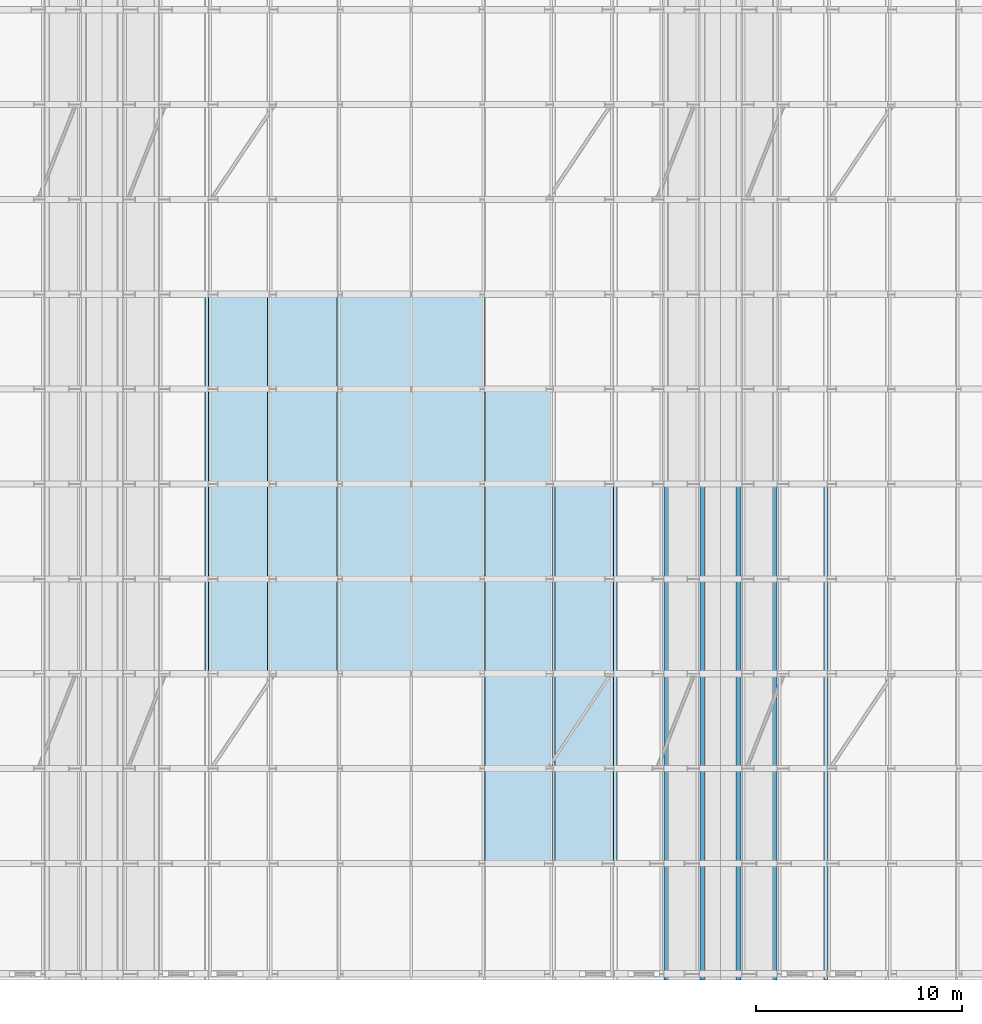
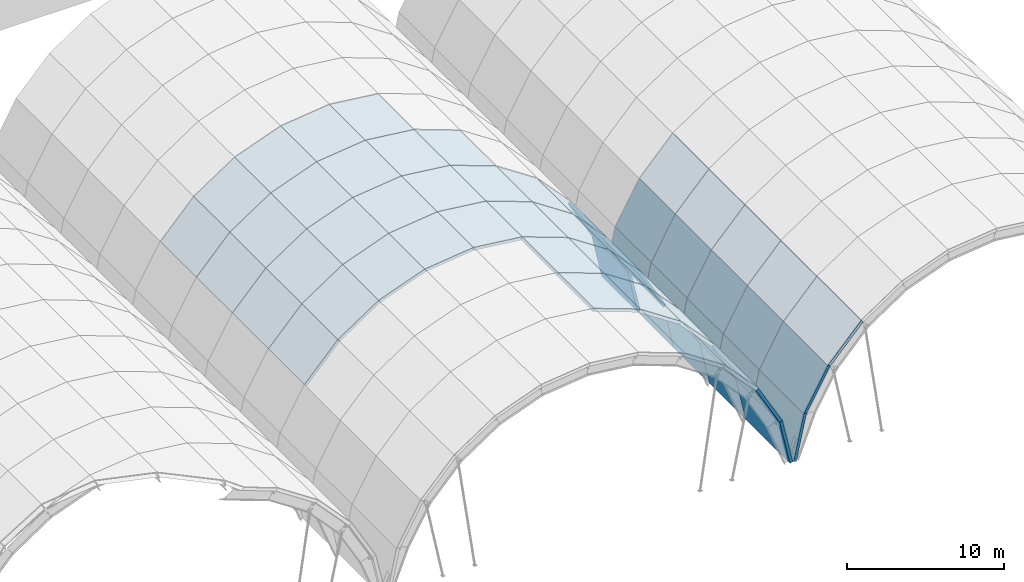
# One storey, part 21 of 47: 58 slabs, 2 elements without a shape of their own.
"""IFC4 building model written with IfcOpenShell, lengths in metres."""

from ifc_helpers import new_model, si_unit, direction, frame, origin, place, context, subcontext, project, spatial, polyline, outline, extrude, material, layer, layer_set, type_object, element, aggregate, save


model = new_model("IFC4")

# Units and contexts
model_context = context("Model", 3, precision=1e-05, world=origin(), true_north=direction((0.0, 1.0)))
body_context = subcontext(model_context, "Body", "Model", "MODEL_VIEW")
ifc_project = project(units=[si_unit("LENGTHUNIT", "METRE"), si_unit("AREAUNIT", "SQUARE_METRE"), si_unit("VOLUMEUNIT", "CUBIC_METRE"), si_unit("PLANEANGLEUNIT", "RADIAN"), si_unit("MASSUNIT", "GRAM", prefix="KILO")], contexts=[model_context])

# Site, building, storey
site_placement = place(None, origin())
site = spatial("IfcSite", under=ifc_project, at=site_placement, CompositionType="ELEMENT")
building_placement = place(site_placement, origin())
building = spatial("IfcBuilding", under=site, at=building_placement, Name="Muzn Square Opera House", CompositionType="ELEMENT")
storey_placement = place(building_placement, frame((0.0, 0.0, 31.0)))
storey = spatial("IfcBuildingStorey", under=building, at=storey_placement, Name="RF-1", CompositionType="ELEMENT", Elevation=31.0)

# Roof, slabs
ifc_material_1 = material(Name="Patina green copper-zinc standing seam", Category="metal")
roof_type = type_object("IfcRoofType", Name="Barrel Vault Roof Assembly", PredefinedType="BARREL_ROOF", material=ifc_material_1)
roof_1_placement = place(storey_placement, origin())
roof_1 = element("IfcRoof", 1, at=roof_1_placement, inside=storey, type_object=roof_type, Name="Grand Auditorium Barrel Vault Roof Assembly", PredefinedType="BARREL_ROOF")
ifc_material_2 = material(Name="Concrete C40/50", Category="concrete")
ifc_layer = layer(ifc_material_2, 0.219970703125, Name="Concrete C40/50", Category="concrete")
ifc_layer_set = layer_set([ifc_layer], Name="Concrete C40/50")
slab_type = type_object("IfcSlabType", Name="Barrel Vault Roof Slab 220mm", PredefinedType="ROOF", material=ifc_layer_set)
slab_1_placement = place(storey_placement, frame((100.44287109375, 20.949951171875, -5.891845703125), z_axis=(0.870542692247, 0.0, 0.492092898724), x_axis=(0.492092898724, 0.0, -0.870542692247)))
slab_1 = element("IfcSlab", 2, at=slab_1_placement, type_object=slab_type, Name="Barrel Vault Roof Deck Strip V2-00-F10", PredefinedType="ROOF", context=body_context, shape_type="SweptSolid", body=[
    extrude(outline(polyline([(0.0, 0.0), (3.611309193818898, 0.0), (3.611309193818898, 5.650146484375), (0.0, 5.650146484375), (0.0, 0.0)])), origin(), (0.0, 0.0, -1.0), 0.219970703125),
])
slab_2_placement = place(storey_placement, frame((102.219970703125, 20.949951171875, -9.03564453125), z_axis=(0.97702538959, 0.0, 0.213122941272), x_axis=(0.213122941272, 0.0, -0.97702538959)))
slab_2 = element("IfcSlab", 3, at=slab_2_placement, type_object=slab_type, Name="Barrel Vault Roof Deck Strip V2-00-F11", PredefinedType="ROOF", context=body_context, shape_type="SweptSolid", body=[
    extrude(outline(polyline([(0.0, 0.0), (3.5523162058829336, 0.0), (3.5523162058829336, 5.650146484375), (0.0, 5.650146484375), (0.0, 0.0)])), origin(), (0.0, 0.0, -1.0), 0.219970703125),
])
slab_3_placement = place(storey_placement, frame((91.58642578125, 26.60009765625, -0.00244140625), z_axis=(0.344922006795, 0.0, 0.938631348948), x_axis=(0.938631348948, 0.0, -0.344922006795)))
slab_3 = element("IfcSlab", 4, at=slab_3_placement, type_object=slab_type, Name="Barrel Vault Roof Deck Strip V2-01-F07", PredefinedType="ROOF", context=body_context, shape_type="SweptSolid", body=[
    extrude(outline(polyline([(0.0, 0.0), (3.6112670233072075, 0.0), (3.6112670233072075, 4.599853515625), (0.0, 4.599853515625), (0.0, 0.0)])), origin(), (0.0, 0.0, -1.0), 0.219970703125),
])
slab_4_placement = place(storey_placement, frame((94.97607421875, 26.60009765625, -1.248046875), z_axis=(0.553701293488, 0.0, 0.832715364089), x_axis=(0.832715364089, 0.0, -0.553701293488)))
slab_4 = element("IfcSlab", 5, at=slab_4_placement, type_object=slab_type, Name="Barrel Vault Roof Deck Strip V2-01-F08", PredefinedType="ROOF", context=body_context, shape_type="SweptSolid", body=[
    extrude(outline(polyline([(0.0, 0.0), (3.611174007116638, 0.0), (3.611174007116638, 4.599853515625), (0.0, 4.599853515625), (0.0, 0.0)])), origin(), (0.0, 0.0, -1.0), 0.219970703125),
])
slab_5_placement = place(storey_placement, frame((97.983154296875, 26.60009765625, -3.24755859375), z_axis=(0.732198498352, 0.0, 0.681091300055), x_axis=(0.681091300055, 0.0, -0.732198498352)))
slab_5 = element("IfcSlab", 6, at=slab_5_placement, type_object=slab_type, Name="Barrel Vault Roof Deck Strip V2-01-F09", PredefinedType="ROOF", context=body_context, shape_type="SweptSolid", body=[
    extrude(outline(polyline([(0.0, 0.0), (3.611434761647482, 0.0), (3.611434761647482, 4.599853515625), (0.0, 4.599853515625), (0.0, 0.0)])), origin(), (0.0, 0.0, -1.0), 0.219970703125),
])
slab_6_placement = place(storey_placement, frame((100.44287109375, 26.60009765625, -5.891845703125), z_axis=(0.870542692247, 0.0, 0.492092898724), x_axis=(0.492092898724, 0.0, -0.870542692247)))
slab_6 = element("IfcSlab", 7, at=slab_6_placement, type_object=slab_type, Name="Barrel Vault Roof Deck Strip V2-01-F10", PredefinedType="ROOF", context=body_context, shape_type="SweptSolid", body=[
    extrude(outline(polyline([(0.0, 0.0), (3.611309193818898, 0.0), (3.611309193818898, 4.599853515625), (0.0, 4.599853515625), (0.0, 0.0)])), origin(), (0.0, 0.0, -1.0), 0.219970703125),
])
slab_7_placement = place(storey_placement, frame((102.219970703125, 26.60009765625, -9.03564453125), z_axis=(0.97702538959, 0.0, 0.213122941272), x_axis=(0.213122941272, 0.0, -0.97702538959)))
slab_7 = element("IfcSlab", 8, at=slab_7_placement, type_object=slab_type, Name="Barrel Vault Roof Deck Strip V2-01-F11", PredefinedType="ROOF", context=body_context, shape_type="SweptSolid", body=[
    extrude(outline(polyline([(0.0, 0.0), (3.5523162058829336, 0.0), (3.5523162058829336, 4.599853515625), (0.0, 4.599853515625), (0.0, 0.0)])), origin(), (0.0, 0.0, -1.0), 0.219970703125),
])
slab_8_placement = place(storey_placement, frame((91.58642578125, 31.199951171875, -0.00244140625), z_axis=(0.344922006795, 0.0, 0.938631348948), x_axis=(0.938631348948, 0.0, -0.344922006795)))
slab_8 = element("IfcSlab", 9, at=slab_8_placement, type_object=slab_type, Name="Barrel Vault Roof Deck Strip V2-02-F07", PredefinedType="ROOF", context=body_context, shape_type="SweptSolid", body=[
    extrude(outline(polyline([(0.0, 0.0), (3.6112670233072075, 0.0), (3.6112670233072075, 4.60009765625), (0.0, 4.60009765625), (0.0, 0.0)])), origin(), (0.0, 0.0, -1.0), 0.219970703125),
])
slab_9_placement = place(storey_placement, frame((94.97607421875, 31.199951171875, -1.248046875), z_axis=(0.553701293488, 0.0, 0.832715364089), x_axis=(0.832715364089, 0.0, -0.553701293488)))
slab_9 = element("IfcSlab", 10, at=slab_9_placement, type_object=slab_type, Name="Barrel Vault Roof Deck Strip V2-02-F08", PredefinedType="ROOF", context=body_context, shape_type="SweptSolid", body=[
    extrude(outline(polyline([(0.0, 0.0), (3.611174007116638, 0.0), (3.611174007116638, 4.600097656249999), (0.0, 4.600097656249999), (0.0, 0.0)])), origin(), (0.0, 0.0, -1.0), 0.219970703125),
])
slab_10_placement = place(storey_placement, frame((97.983154296875, 31.199951171875, -3.24755859375), z_axis=(0.732198498352, 0.0, 0.681091300055), x_axis=(0.681091300055, 0.0, -0.732198498352)))
slab_10 = element("IfcSlab", 11, at=slab_10_placement, type_object=slab_type, Name="Barrel Vault Roof Deck Strip V2-02-F09", PredefinedType="ROOF", context=body_context, shape_type="SweptSolid", body=[
    extrude(outline(polyline([(0.0, 0.0), (3.611434761647482, 0.0), (3.611434761647482, 4.600097656250001), (0.0, 4.600097656250001), (0.0, 0.0)])), origin(), (0.0, 0.0, -1.0), 0.219970703125),
])
slab_11_placement = place(storey_placement, frame((100.44287109375, 31.199951171875, -5.891845703125), z_axis=(0.870542692247, 0.0, 0.492092898724), x_axis=(0.492092898724, 0.0, -0.870542692247)))
slab_11 = element("IfcSlab", 12, at=slab_11_placement, type_object=slab_type, Name="Barrel Vault Roof Deck Strip V2-02-F10", PredefinedType="ROOF", context=body_context, shape_type="SweptSolid", body=[
    extrude(outline(polyline([(0.0, 0.0), (3.611309193818898, 0.0), (3.611309193818898, 4.60009765625), (0.0, 4.60009765625), (0.0, 0.0)])), origin(), (0.0, 0.0, -1.0), 0.219970703125),
])
slab_12_placement = place(storey_placement, frame((102.219970703125, 31.199951171875, -9.03564453125), z_axis=(0.97702538959, 0.0, 0.213122941272), x_axis=(0.213122941272, 0.0, -0.97702538959)))
slab_12 = element("IfcSlab", 13, at=slab_12_placement, type_object=slab_type, Name="Barrel Vault Roof Deck Strip V2-02-F11", PredefinedType="ROOF", context=body_context, shape_type="SweptSolid", body=[
    extrude(outline(polyline([(0.0, 0.0), (3.5523162058829336, 0.0), (3.5523162058829336, 4.60009765625), (0.0, 4.60009765625), (0.0, 0.0)])), origin(), (0.0, 0.0, -1.0), 0.219970703125),
])
slab_13_placement = place(storey_placement, frame((78.016845703125, 35.800048828125, -3.24755859375), z_axis=(-0.732198498352, 0.0, 0.681091300055), x_axis=(0.0, 1.0, 0.0)))
slab_13 = element("IfcSlab", 14, at=slab_13_placement, type_object=slab_type, Name="Barrel Vault Roof Deck Strip V2-03-F02", PredefinedType="ROOF", context=body_context, shape_type="SweptSolid", body=[
    extrude(outline(polyline([(0.0, 3.6114347616474816), (0.0, 0.0), (4.599853515625, 0.0), (4.599853515625, 3.6114347616474816), (0.0, 3.6114347616474816)])), origin(), (0.0, 0.0, -1.0), 0.219970703125),
])
slab_14_placement = place(storey_placement, frame((81.02392578125, 35.800048828125, -1.248046875), z_axis=(-0.553701293488, 0.0, 0.832715364089), x_axis=(0.0, 1.0, 0.0)))
slab_14 = element("IfcSlab", 15, at=slab_14_placement, type_object=slab_type, Name="Barrel Vault Roof Deck Strip V2-03-F03", PredefinedType="ROOF", context=body_context, shape_type="SweptSolid", body=[
    extrude(outline(polyline([(0.0, 3.6111740071166376), (0.0, 0.0), (4.599853515625, 0.0), (4.599853515625, 3.6111740071166376), (0.0, 3.6111740071166376)])), origin(), (0.0, 0.0, -1.0), 0.219970703125),
])
slab_15_placement = place(storey_placement, frame((84.41357421875, 35.800048828125, -0.00244140625), z_axis=(-0.344922006795, 0.0, 0.938631348948), x_axis=(0.0, 1.0, 0.0)))
slab_15 = element("IfcSlab", 16, at=slab_15_placement, type_object=slab_type, Name="Barrel Vault Roof Deck Strip V2-03-F04", PredefinedType="ROOF", context=body_context, shape_type="SweptSolid", body=[
    extrude(outline(polyline([(0.0, 3.6112670233072075), (0.0, 0.0), (4.599853515625, 0.0), (4.599853515625, 3.6112670233072075), (0.0, 3.6112670233072075)])), origin(), (0.0, 0.0, -1.0), 0.219970703125),
])
slab_16_placement = place(storey_placement, frame((88.0, 35.800048828125, 0.419921875), z_axis=(-0.116958923267, 0.0, 0.993136753055), x_axis=(0.0, 1.0, 0.0)))
slab_16 = element("IfcSlab", 17, at=slab_16_placement, type_object=slab_type, Name="Barrel Vault Roof Deck Strip V2-03-F05", PredefinedType="ROOF", context=body_context, shape_type="SweptSolid", body=[
    extrude(outline(polyline([(0.0, 3.611210410065154), (0.0, 0.0), (4.599853515625, 0.0), (4.599853515625, 3.611210410065154), (0.0, 3.611210410065154)])), origin(), (0.0, 0.0, -1.0), 0.219970703125),
])
slab_17_placement = place(storey_placement, frame((88.0, 35.800048828125, 0.419921875), z_axis=(0.116958923267, 0.0, 0.993136753055), x_axis=(0.993136753055, 0.0, -0.116958923267)))
slab_17 = element("IfcSlab", 18, at=slab_17_placement, type_object=slab_type, Name="Barrel Vault Roof Deck Strip V2-03-F06", PredefinedType="ROOF", context=body_context, shape_type="SweptSolid", body=[
    extrude(outline(polyline([(0.0, 0.0), (3.611210410065154, 0.0), (3.611210410065154, 4.599853515625), (0.0, 4.599853515625), (0.0, 0.0)])), origin(), (0.0, 0.0, -1.0), 0.219970703125),
])
slab_18_placement = place(storey_placement, frame((91.58642578125, 35.800048828125, -0.00244140625), z_axis=(0.344922006795, 0.0, 0.938631348948), x_axis=(0.938631348948, 0.0, -0.344922006795)))
slab_18 = element("IfcSlab", 19, at=slab_18_placement, type_object=slab_type, Name="Barrel Vault Roof Deck Strip V2-03-F07", PredefinedType="ROOF", context=body_context, shape_type="SweptSolid", body=[
    extrude(outline(polyline([(0.0, 0.0), (3.6112670233072075, 0.0), (3.6112670233072075, 4.599853515625), (0.0, 4.599853515625), (0.0, 0.0)])), origin(), (0.0, 0.0, -1.0), 0.219970703125),
])
slab_19_placement = place(storey_placement, frame((94.97607421875, 35.800048828125, -1.248046875), z_axis=(0.553701293488, 0.0, 0.832715364089), x_axis=(0.832715364089, 0.0, -0.553701293488)))
slab_19 = element("IfcSlab", 20, at=slab_19_placement, type_object=slab_type, Name="Barrel Vault Roof Deck Strip V2-03-F08", PredefinedType="ROOF", context=body_context, shape_type="SweptSolid", body=[
    extrude(outline(polyline([(0.0, 0.0), (3.611174007116638, 0.0), (3.611174007116638, 4.599853515625), (0.0, 4.599853515625), (0.0, 0.0)])), origin(), (0.0, 0.0, -1.0), 0.219970703125),
])
slab_20_placement = place(storey_placement, frame((97.983154296875, 35.800048828125, -3.24755859375), z_axis=(0.732198498352, 0.0, 0.681091300055), x_axis=(0.681091300055, 0.0, -0.732198498352)))
slab_20 = element("IfcSlab", 21, at=slab_20_placement, type_object=slab_type, Name="Barrel Vault Roof Deck Strip V2-03-F09", PredefinedType="ROOF", context=body_context, shape_type="SweptSolid", body=[
    extrude(outline(polyline([(0.0, 0.0), (3.611434761647482, 0.0), (3.611434761647482, 4.599853515625), (0.0, 4.599853515625), (0.0, 0.0)])), origin(), (0.0, 0.0, -1.0), 0.219970703125),
])
slab_21_placement = place(storey_placement, frame((100.44287109375, 35.800048828125, -5.891845703125), z_axis=(0.870542692247, 0.0, 0.492092898724), x_axis=(0.492092898724, 0.0, -0.870542692247)))
slab_21 = element("IfcSlab", 22, at=slab_21_placement, type_object=slab_type, Name="Barrel Vault Roof Deck Strip V2-03-F10", PredefinedType="ROOF", context=body_context, shape_type="SweptSolid", body=[
    extrude(outline(polyline([(0.0, 0.0), (3.611309193818898, 0.0), (3.611309193818898, 4.599853515625), (0.0, 4.599853515625), (0.0, 0.0)])), origin(), (0.0, 0.0, -1.0), 0.219970703125),
])
slab_22_placement = place(storey_placement, frame((102.219970703125, 35.800048828125, -9.03564453125), z_axis=(0.97702538959, 0.0, 0.213122941272), x_axis=(0.213122941272, 0.0, -0.97702538959)))
slab_22 = element("IfcSlab", 23, at=slab_22_placement, type_object=slab_type, Name="Barrel Vault Roof Deck Strip V2-03-F11", PredefinedType="ROOF", context=body_context, shape_type="SweptSolid", body=[
    extrude(outline(polyline([(0.0, 0.0), (3.5523162058829336, 0.0), (3.5523162058829336, 4.599853515625), (0.0, 4.599853515625), (0.0, 0.0)])), origin(), (0.0, 0.0, -1.0), 0.219970703125),
])
slab_23_placement = place(storey_placement, frame((78.016845703125, 40.39990234375, -3.24755859375), z_axis=(-0.732198498352, 0.0, 0.681091300055), x_axis=(0.0, 1.0, 0.0)))
slab_23 = element("IfcSlab", 24, at=slab_23_placement, type_object=slab_type, Name="Barrel Vault Roof Deck Strip V2-04-F02", PredefinedType="ROOF", context=body_context, shape_type="SweptSolid", body=[
    extrude(outline(polyline([(0.0, 3.6114347616474824), (0.0, 0.0), (4.60009765625, 0.0), (4.60009765625, 3.6114347616474824), (0.0, 3.6114347616474824)])), origin(), (0.0, 0.0, -1.0), 0.219970703125),
])
slab_24_placement = place(storey_placement, frame((81.02392578125, 40.39990234375, -1.248046875), z_axis=(-0.553701293488, 0.0, 0.832715364089), x_axis=(0.0, 1.0, 0.0)))
slab_24 = element("IfcSlab", 25, at=slab_24_placement, type_object=slab_type, Name="Barrel Vault Roof Deck Strip V2-04-F03", PredefinedType="ROOF", context=body_context, shape_type="SweptSolid", body=[
    extrude(outline(polyline([(0.0, 3.611174007116637), (0.0, 0.0), (4.60009765625, 0.0), (4.60009765625, 3.611174007116637), (0.0, 3.611174007116637)])), origin(), (0.0, 0.0, -1.0), 0.219970703125),
])
slab_25_placement = place(storey_placement, frame((84.41357421875, 40.39990234375, -0.00244140625), z_axis=(-0.344922006795, 0.0, 0.938631348948), x_axis=(0.0, 1.0, 0.0)))
slab_25 = element("IfcSlab", 26, at=slab_25_placement, type_object=slab_type, Name="Barrel Vault Roof Deck Strip V2-04-F04", PredefinedType="ROOF", context=body_context, shape_type="SweptSolid", body=[
    extrude(outline(polyline([(0.0, 3.6112670233072075), (0.0, 0.0), (4.60009765625, 0.0), (4.60009765625, 3.6112670233072075), (0.0, 3.6112670233072075)])), origin(), (0.0, 0.0, -1.0), 0.219970703125),
])
slab_26_placement = place(storey_placement, frame((88.0, 40.39990234375, 0.419921875), z_axis=(-0.116958923267, 0.0, 0.993136753055), x_axis=(0.0, 1.0, 0.0)))
slab_26 = element("IfcSlab", 27, at=slab_26_placement, type_object=slab_type, Name="Barrel Vault Roof Deck Strip V2-04-F05", PredefinedType="ROOF", context=body_context, shape_type="SweptSolid", body=[
    extrude(outline(polyline([(0.0, 3.611210410065154), (0.0, 0.0), (4.60009765625, 0.0), (4.60009765625, 3.611210410065154), (0.0, 3.611210410065154)])), origin(), (0.0, 0.0, -1.0), 0.219970703125),
])
slab_27_placement = place(storey_placement, frame((88.0, 40.39990234375, 0.419921875), z_axis=(0.116958923267, 0.0, 0.993136753055), x_axis=(0.993136753055, 0.0, -0.116958923267)))
slab_27 = element("IfcSlab", 28, at=slab_27_placement, type_object=slab_type, Name="Barrel Vault Roof Deck Strip V2-04-F06", PredefinedType="ROOF", context=body_context, shape_type="SweptSolid", body=[
    extrude(outline(polyline([(0.0, 0.0), (3.611210410065154, 0.0), (3.611210410065154, 4.60009765625), (0.0, 4.60009765625), (0.0, 0.0)])), origin(), (0.0, 0.0, -1.0), 0.219970703125),
])
slab_28_placement = place(storey_placement, frame((91.58642578125, 40.39990234375, -0.00244140625), z_axis=(0.344922006795, 0.0, 0.938631348948), x_axis=(0.938631348948, 0.0, -0.344922006795)))
slab_28 = element("IfcSlab", 29, at=slab_28_placement, type_object=slab_type, Name="Barrel Vault Roof Deck Strip V2-04-F07", PredefinedType="ROOF", context=body_context, shape_type="SweptSolid", body=[
    extrude(outline(polyline([(0.0, 0.0), (3.6112670233072075, 0.0), (3.6112670233072075, 4.60009765625), (0.0, 4.60009765625), (0.0, 0.0)])), origin(), (0.0, 0.0, -1.0), 0.219970703125),
])
slab_29_placement = place(storey_placement, frame((94.97607421875, 40.39990234375, -1.248046875), z_axis=(0.553701293488, 0.0, 0.832715364089), x_axis=(0.832715364089, 0.0, -0.553701293488)))
slab_29 = element("IfcSlab", 30, at=slab_29_placement, type_object=slab_type, Name="Barrel Vault Roof Deck Strip V2-04-F08", PredefinedType="ROOF", context=body_context, shape_type="SweptSolid", body=[
    extrude(outline(polyline([(0.0, 0.0), (3.611174007116638, 0.0), (3.611174007116638, 4.600097656249999), (0.0, 4.600097656249999), (0.0, 0.0)])), origin(), (0.0, 0.0, -1.0), 0.219970703125),
])
slab_30_placement = place(storey_placement, frame((97.983154296875, 40.39990234375, -3.24755859375), z_axis=(0.732198498352, 0.0, 0.681091300055), x_axis=(0.681091300055, 0.0, -0.732198498352)))
slab_30 = element("IfcSlab", 31, at=slab_30_placement, type_object=slab_type, Name="Barrel Vault Roof Deck Strip V2-04-F09", PredefinedType="ROOF", context=body_context, shape_type="SweptSolid", body=[
    extrude(outline(polyline([(0.0, 0.0), (3.611434761647482, 0.0), (3.611434761647482, 4.600097656250001), (0.0, 4.600097656250001), (0.0, 0.0)])), origin(), (0.0, 0.0, -1.0), 0.219970703125),
])
slab_31_placement = place(storey_placement, frame((100.44287109375, 40.39990234375, -5.891845703125), z_axis=(0.870542692247, 0.0, 0.492092898724), x_axis=(0.492092898724, 0.0, -0.870542692247)))
slab_31 = element("IfcSlab", 32, at=slab_31_placement, type_object=slab_type, Name="Barrel Vault Roof Deck Strip V2-04-F10", PredefinedType="ROOF", context=body_context, shape_type="SweptSolid", body=[
    extrude(outline(polyline([(0.0, 0.0), (3.611309193818898, 0.0), (3.611309193818898, 4.60009765625), (0.0, 4.60009765625), (0.0, 0.0)])), origin(), (0.0, 0.0, -1.0), 0.219970703125),
])
slab_32_placement = place(storey_placement, frame((102.219970703125, 40.39990234375, -9.03564453125), z_axis=(0.97702538959, 0.0, 0.213122941272), x_axis=(0.213122941272, 0.0, -0.97702538959)))
slab_32 = element("IfcSlab", 33, at=slab_32_placement, type_object=slab_type, Name="Barrel Vault Roof Deck Strip V2-04-F11", PredefinedType="ROOF", context=body_context, shape_type="SweptSolid", body=[
    extrude(outline(polyline([(0.0, 0.0), (3.5523162058829336, 0.0), (3.5523162058829336, 4.60009765625), (0.0, 4.60009765625), (0.0, 0.0)])), origin(), (0.0, 0.0, -1.0), 0.219970703125),
])
slab_33_placement = place(storey_placement, frame((78.016845703125, 45.0, -3.24755859375), z_axis=(-0.732198498352, 0.0, 0.681091300055), x_axis=(0.0, 1.0, 0.0)))
slab_33 = element("IfcSlab", 34, at=slab_33_placement, type_object=slab_type, Name="Barrel Vault Roof Deck Strip V2-05-F02", PredefinedType="ROOF", context=body_context, shape_type="SweptSolid", body=[
    extrude(outline(polyline([(0.0, 3.6114347616474824), (0.0, 0.0), (4.60009765625, 0.0), (4.60009765625, 3.6114347616474824), (0.0, 3.6114347616474824)])), origin(), (0.0, 0.0, -1.0), 0.219970703125),
])
slab_34_placement = place(storey_placement, frame((81.02392578125, 45.0, -1.248046875), z_axis=(-0.553701293488, 0.0, 0.832715364089), x_axis=(0.0, 1.0, 0.0)))
slab_34 = element("IfcSlab", 35, at=slab_34_placement, type_object=slab_type, Name="Barrel Vault Roof Deck Strip V2-05-F03", PredefinedType="ROOF", context=body_context, shape_type="SweptSolid", body=[
    extrude(outline(polyline([(0.0, 3.611174007116637), (0.0, 0.0), (4.60009765625, 0.0), (4.60009765625, 3.611174007116637), (0.0, 3.611174007116637)])), origin(), (0.0, 0.0, -1.0), 0.219970703125),
])
slab_35_placement = place(storey_placement, frame((84.41357421875, 45.0, -0.00244140625), z_axis=(-0.344922006795, 0.0, 0.938631348948), x_axis=(0.0, 1.0, 0.0)))
slab_35 = element("IfcSlab", 36, at=slab_35_placement, type_object=slab_type, Name="Barrel Vault Roof Deck Strip V2-05-F04", PredefinedType="ROOF", context=body_context, shape_type="SweptSolid", body=[
    extrude(outline(polyline([(0.0, 3.6112670233072075), (0.0, 0.0), (4.60009765625, 0.0), (4.60009765625, 3.6112670233072075), (0.0, 3.6112670233072075)])), origin(), (0.0, 0.0, -1.0), 0.219970703125),
])
slab_36_placement = place(storey_placement, frame((88.0, 45.0, 0.419921875), z_axis=(-0.116958923267, 0.0, 0.993136753055), x_axis=(0.0, 1.0, 0.0)))
slab_36 = element("IfcSlab", 37, at=slab_36_placement, type_object=slab_type, Name="Barrel Vault Roof Deck Strip V2-05-F05", PredefinedType="ROOF", context=body_context, shape_type="SweptSolid", body=[
    extrude(outline(polyline([(0.0, 3.611210410065154), (0.0, 0.0), (4.60009765625, 0.0), (4.60009765625, 3.611210410065154), (0.0, 3.611210410065154)])), origin(), (0.0, 0.0, -1.0), 0.219970703125),
])
slab_37_placement = place(storey_placement, frame((88.0, 45.0, 0.419921875), z_axis=(0.116958923267, 0.0, 0.993136753055), x_axis=(0.993136753055, 0.0, -0.116958923267)))
slab_37 = element("IfcSlab", 38, at=slab_37_placement, type_object=slab_type, Name="Barrel Vault Roof Deck Strip V2-05-F06", PredefinedType="ROOF", context=body_context, shape_type="SweptSolid", body=[
    extrude(outline(polyline([(0.0, 0.0), (3.611210410065154, 0.0), (3.611210410065154, 4.60009765625), (0.0, 4.60009765625), (0.0, 0.0)])), origin(), (0.0, 0.0, -1.0), 0.219970703125),
])
slab_38_placement = place(storey_placement, frame((91.58642578125, 45.0, -0.00244140625), z_axis=(0.344922006795, 0.0, 0.938631348948), x_axis=(0.938631348948, 0.0, -0.344922006795)))
slab_38 = element("IfcSlab", 39, at=slab_38_placement, type_object=slab_type, Name="Barrel Vault Roof Deck Strip V2-05-F07", PredefinedType="ROOF", context=body_context, shape_type="SweptSolid", body=[
    extrude(outline(polyline([(0.0, 0.0), (3.6112670233072075, 0.0), (3.6112670233072075, 4.60009765625), (0.0, 4.60009765625), (0.0, 0.0)])), origin(), (0.0, 0.0, -1.0), 0.219970703125),
])
slab_39_placement = place(storey_placement, frame((78.016845703125, 49.60009765625, -3.24755859375), z_axis=(-0.732198498352, 0.0, 0.681091300055), x_axis=(0.0, 1.0, 0.0)))
slab_39 = element("IfcSlab", 40, at=slab_39_placement, type_object=slab_type, Name="Barrel Vault Roof Deck Strip V2-06-F02", PredefinedType="ROOF", context=body_context, shape_type="SweptSolid", body=[
    extrude(outline(polyline([(0.0, 3.6114347616474816), (0.0, 0.0), (4.599853515625, 0.0), (4.599853515625, 3.6114347616474816), (0.0, 3.6114347616474816)])), origin(), (0.0, 0.0, -1.0), 0.219970703125),
])
slab_40_placement = place(storey_placement, frame((81.02392578125, 49.60009765625, -1.248046875), z_axis=(-0.553701293488, 0.0, 0.832715364089), x_axis=(0.0, 1.0, 0.0)))
slab_40 = element("IfcSlab", 41, at=slab_40_placement, type_object=slab_type, Name="Barrel Vault Roof Deck Strip V2-06-F03", PredefinedType="ROOF", context=body_context, shape_type="SweptSolid", body=[
    extrude(outline(polyline([(0.0, 3.6111740071166376), (0.0, 0.0), (4.599853515625, 0.0), (4.599853515625, 3.6111740071166376), (0.0, 3.6111740071166376)])), origin(), (0.0, 0.0, -1.0), 0.219970703125),
])
slab_41_placement = place(storey_placement, frame((84.41357421875, 49.60009765625, -0.00244140625), z_axis=(-0.344922006795, 0.0, 0.938631348948), x_axis=(0.0, 1.0, 0.0)))
slab_41 = element("IfcSlab", 42, at=slab_41_placement, type_object=slab_type, Name="Barrel Vault Roof Deck Strip V2-06-F04", PredefinedType="ROOF", context=body_context, shape_type="SweptSolid", body=[
    extrude(outline(polyline([(0.0, 3.6112670233072075), (0.0, 0.0), (4.599853515625, 0.0), (4.599853515625, 3.6112670233072075), (0.0, 3.6112670233072075)])), origin(), (0.0, 0.0, -1.0), 0.219970703125),
])
slab_42_placement = place(storey_placement, frame((88.0, 49.60009765625, 0.419921875), z_axis=(-0.116958923267, 0.0, 0.993136753055), x_axis=(0.0, 1.0, 0.0)))
slab_42 = element("IfcSlab", 43, at=slab_42_placement, type_object=slab_type, Name="Barrel Vault Roof Deck Strip V2-06-F05", PredefinedType="ROOF", context=body_context, shape_type="SweptSolid", body=[
    extrude(outline(polyline([(0.0, 3.611210410065154), (0.0, 0.0), (4.599853515625, 0.0), (4.599853515625, 3.611210410065154), (0.0, 3.611210410065154)])), origin(), (0.0, 0.0, -1.0), 0.219970703125),
])
slab_43_placement = place(storey_placement, frame((88.0, 49.60009765625, 0.419921875), z_axis=(0.116958923267, 0.0, 0.993136753055), x_axis=(0.993136753055, 0.0, -0.116958923267)))
slab_43 = element("IfcSlab", 44, at=slab_43_placement, type_object=slab_type, Name="Barrel Vault Roof Deck Strip V2-06-F06", PredefinedType="ROOF", context=body_context, shape_type="SweptSolid", body=[
    extrude(outline(polyline([(0.0, 0.0), (3.611210410065154, 0.0), (3.611210410065154, 4.599853515625), (0.0, 4.599853515625), (0.0, 0.0)])), origin(), (0.0, 0.0, -1.0), 0.219970703125),
])
aggregate(roof_1, [slab_1, slab_2, slab_3, slab_4, slab_5, slab_6, slab_7, slab_8, slab_9, slab_10, slab_11, slab_12, slab_13, slab_14, slab_15, slab_16, slab_17, slab_18, slab_19, slab_20, slab_21, slab_22, slab_23, slab_24, slab_25, slab_26, slab_27, slab_28, slab_29, slab_30, slab_31, slab_32, slab_33, slab_34, slab_35, slab_36, slab_37, slab_38, slab_39, slab_40, slab_41, slab_42, slab_43])

roof_2_placement = place(storey_placement, origin())
roof_2 = element("IfcRoof", 45, at=roof_2_placement, inside=storey, type_object=roof_type, Name="East Foyer Barrel Vault Roof Assembly", PredefinedType="BARREL_ROOF")
slab_44_placement = place(storey_placement, frame((103.780029296875, 20.949951171875, -9.03564453125), z_axis=(-0.97702538959, 0.0, 0.213122941272), x_axis=(0.0, 1.0, 0.0)))
slab_44 = element("IfcSlab", 46, at=slab_44_placement, type_object=slab_type, Name="Barrel Vault Roof Deck Strip V3-00-F00", PredefinedType="ROOF", context=body_context, shape_type="SweptSolid", body=[
    extrude(outline(polyline([(0.0, 3.5523162058829336), (0.0, 0.0), (5.650146484375, 0.0), (5.650146484375, 3.5523162058829336), (0.0, 3.5523162058829336)])), origin(), (0.0, 0.0, -1.0), 0.219970703125),
])
slab_45_placement = place(storey_placement, frame((105.55712890625, 20.949951171875, -5.891845703125), z_axis=(-0.870542692247, 0.0, 0.492092898724), x_axis=(0.0, 1.0, 0.0)))
slab_45 = element("IfcSlab", 47, at=slab_45_placement, type_object=slab_type, Name="Barrel Vault Roof Deck Strip V3-00-F01", PredefinedType="ROOF", context=body_context, shape_type="SweptSolid", body=[
    extrude(outline(polyline([(0.0, 3.611309193818898), (0.0, 0.0), (5.650146484375, 0.0), (5.650146484375, 3.611309193818898), (0.0, 3.611309193818898)])), origin(), (0.0, 0.0, -1.0), 0.219970703125),
])
slab_46_placement = place(storey_placement, frame((108.016845703125, 20.949951171875, -3.24755859375), z_axis=(-0.732198498352, 0.0, 0.681091300055), x_axis=(0.0, 1.0, 0.0)))
slab_46 = element("IfcSlab", 48, at=slab_46_placement, type_object=slab_type, Name="Barrel Vault Roof Deck Strip V3-00-F02", PredefinedType="ROOF", context=body_context, shape_type="SweptSolid", body=[
    extrude(outline(polyline([(0.0, 3.6114347616474816), (0.0, 0.0), (5.650146484375, 0.0), (5.650146484375, 3.6114347616474816), (0.0, 3.6114347616474816)])), origin(), (0.0, 0.0, -1.0), 0.219970703125),
])
slab_47_placement = place(storey_placement, frame((103.780029296875, 26.60009765625, -9.03564453125), z_axis=(-0.97702538959, 0.0, 0.213122941272), x_axis=(0.0, 1.0, 0.0)))
slab_47 = element("IfcSlab", 49, at=slab_47_placement, type_object=slab_type, Name="Barrel Vault Roof Deck Strip V3-01-F00", PredefinedType="ROOF", context=body_context, shape_type="SweptSolid", body=[
    extrude(outline(polyline([(0.0, 3.5523162058829336), (0.0, 0.0), (4.599853515625, 0.0), (4.599853515625, 3.5523162058829336), (0.0, 3.5523162058829336)])), origin(), (0.0, 0.0, -1.0), 0.219970703125),
])
slab_48_placement = place(storey_placement, frame((105.55712890625, 26.60009765625, -5.891845703125), z_axis=(-0.870542692247, 0.0, 0.492092898724), x_axis=(0.0, 1.0, 0.0)))
slab_48 = element("IfcSlab", 50, at=slab_48_placement, type_object=slab_type, Name="Barrel Vault Roof Deck Strip V3-01-F01", PredefinedType="ROOF", context=body_context, shape_type="SweptSolid", body=[
    extrude(outline(polyline([(0.0, 3.611309193818898), (0.0, 0.0), (4.599853515625, 0.0), (4.599853515625, 3.611309193818898), (0.0, 3.611309193818898)])), origin(), (0.0, 0.0, -1.0), 0.219970703125),
])
slab_49_placement = place(storey_placement, frame((108.016845703125, 26.60009765625, -3.24755859375), z_axis=(-0.732198498352, 0.0, 0.681091300055), x_axis=(0.0, 1.0, 0.0)))
slab_49 = element("IfcSlab", 51, at=slab_49_placement, type_object=slab_type, Name="Barrel Vault Roof Deck Strip V3-01-F02", PredefinedType="ROOF", context=body_context, shape_type="SweptSolid", body=[
    extrude(outline(polyline([(0.0, 3.6114347616474816), (0.0, 0.0), (4.599853515625, 0.0), (4.599853515625, 3.6114347616474816), (0.0, 3.6114347616474816)])), origin(), (0.0, 0.0, -1.0), 0.219970703125),
])
slab_50_placement = place(storey_placement, frame((103.780029296875, 31.199951171875, -9.03564453125), z_axis=(-0.97702538959, 0.0, 0.213122941272), x_axis=(0.0, 1.0, 0.0)))
slab_50 = element("IfcSlab", 52, at=slab_50_placement, type_object=slab_type, Name="Barrel Vault Roof Deck Strip V3-02-F00", PredefinedType="ROOF", context=body_context, shape_type="SweptSolid", body=[
    extrude(outline(polyline([(0.0, 3.5523162058829336), (0.0, 0.0), (4.60009765625, 0.0), (4.60009765625, 3.5523162058829336), (0.0, 3.5523162058829336)])), origin(), (0.0, 0.0, -1.0), 0.219970703125),
])
slab_51_placement = place(storey_placement, frame((105.55712890625, 31.199951171875, -5.891845703125), z_axis=(-0.870542692247, 0.0, 0.492092898724), x_axis=(0.0, 1.0, 0.0)))
slab_51 = element("IfcSlab", 53, at=slab_51_placement, type_object=slab_type, Name="Barrel Vault Roof Deck Strip V3-02-F01", PredefinedType="ROOF", context=body_context, shape_type="SweptSolid", body=[
    extrude(outline(polyline([(0.0, 3.611309193818898), (0.0, 0.0), (4.60009765625, 0.0), (4.60009765625, 3.611309193818898), (0.0, 3.611309193818898)])), origin(), (0.0, 0.0, -1.0), 0.219970703125),
])
slab_52_placement = place(storey_placement, frame((108.016845703125, 31.199951171875, -3.24755859375), z_axis=(-0.732198498352, 0.0, 0.681091300055), x_axis=(0.0, 1.0, 0.0)))
slab_52 = element("IfcSlab", 54, at=slab_52_placement, type_object=slab_type, Name="Barrel Vault Roof Deck Strip V3-02-F02", PredefinedType="ROOF", context=body_context, shape_type="SweptSolid", body=[
    extrude(outline(polyline([(0.0, 3.6114347616474824), (0.0, 0.0), (4.60009765625, 0.0), (4.60009765625, 3.6114347616474824), (0.0, 3.6114347616474824)])), origin(), (0.0, 0.0, -1.0), 0.219970703125),
])
slab_53_placement = place(storey_placement, frame((103.780029296875, 35.800048828125, -9.03564453125), z_axis=(-0.97702538959, 0.0, 0.213122941272), x_axis=(0.0, 1.0, 0.0)))
slab_53 = element("IfcSlab", 55, at=slab_53_placement, type_object=slab_type, Name="Barrel Vault Roof Deck Strip V3-03-F00", PredefinedType="ROOF", context=body_context, shape_type="SweptSolid", body=[
    extrude(outline(polyline([(0.0, 3.5523162058829336), (0.0, 0.0), (4.599853515625, 0.0), (4.599853515625, 3.5523162058829336), (0.0, 3.5523162058829336)])), origin(), (0.0, 0.0, -1.0), 0.219970703125),
])
slab_54_placement = place(storey_placement, frame((105.55712890625, 35.800048828125, -5.891845703125), z_axis=(-0.870542692247, 0.0, 0.492092898724), x_axis=(0.0, 1.0, 0.0)))
slab_54 = element("IfcSlab", 56, at=slab_54_placement, type_object=slab_type, Name="Barrel Vault Roof Deck Strip V3-03-F01", PredefinedType="ROOF", context=body_context, shape_type="SweptSolid", body=[
    extrude(outline(polyline([(0.0, 3.611309193818898), (0.0, 0.0), (4.599853515625, 0.0), (4.599853515625, 3.611309193818898), (0.0, 3.611309193818898)])), origin(), (0.0, 0.0, -1.0), 0.219970703125),
])
slab_55_placement = place(storey_placement, frame((108.016845703125, 35.800048828125, -3.24755859375), z_axis=(-0.732198498352, 0.0, 0.681091300055), x_axis=(0.0, 1.0, 0.0)))
slab_55 = element("IfcSlab", 57, at=slab_55_placement, type_object=slab_type, Name="Barrel Vault Roof Deck Strip V3-03-F02", PredefinedType="ROOF", context=body_context, shape_type="SweptSolid", body=[
    extrude(outline(polyline([(0.0, 3.6114347616474816), (0.0, 0.0), (4.599853515625, 0.0), (4.599853515625, 3.6114347616474816), (0.0, 3.6114347616474816)])), origin(), (0.0, 0.0, -1.0), 0.219970703125),
])
slab_56_placement = place(storey_placement, frame((103.780029296875, 40.39990234375, -9.03564453125), z_axis=(-0.97702538959, 0.0, 0.213122941272), x_axis=(0.0, 1.0, 0.0)))
slab_56 = element("IfcSlab", 58, at=slab_56_placement, type_object=slab_type, Name="Barrel Vault Roof Deck Strip V3-04-F00", PredefinedType="ROOF", context=body_context, shape_type="SweptSolid", body=[
    extrude(outline(polyline([(0.0, 3.5523162058829336), (0.0, 0.0), (4.60009765625, 0.0), (4.60009765625, 3.5523162058829336), (0.0, 3.5523162058829336)])), origin(), (0.0, 0.0, -1.0), 0.219970703125),
])
slab_57_placement = place(storey_placement, frame((105.55712890625, 40.39990234375, -5.891845703125), z_axis=(-0.870542692247, 0.0, 0.492092898724), x_axis=(0.0, 1.0, 0.0)))
slab_57 = element("IfcSlab", 59, at=slab_57_placement, type_object=slab_type, Name="Barrel Vault Roof Deck Strip V3-04-F01", PredefinedType="ROOF", context=body_context, shape_type="SweptSolid", body=[
    extrude(outline(polyline([(0.0, 3.611309193818898), (0.0, 0.0), (4.60009765625, 0.0), (4.60009765625, 3.611309193818898), (0.0, 3.611309193818898)])), origin(), (0.0, 0.0, -1.0), 0.219970703125),
])
slab_58_placement = place(storey_placement, frame((108.016845703125, 40.39990234375, -3.24755859375), z_axis=(-0.732198498352, 0.0, 0.681091300055), x_axis=(0.0, 1.0, 0.0)))
slab_58 = element("IfcSlab", 60, at=slab_58_placement, type_object=slab_type, Name="Barrel Vault Roof Deck Strip V3-04-F02", PredefinedType="ROOF", context=body_context, shape_type="SweptSolid", body=[
    extrude(outline(polyline([(0.0, 3.6114347616474824), (0.0, 0.0), (4.60009765625, 0.0), (4.60009765625, 3.6114347616474824), (0.0, 3.6114347616474824)])), origin(), (0.0, 0.0, -1.0), 0.219970703125),
])
aggregate(roof_2, [slab_44, slab_45, slab_46, slab_47, slab_48, slab_49, slab_50, slab_51, slab_52, slab_53, slab_54, slab_55, slab_56, slab_57, slab_58])

save(model, "model.ifc")
